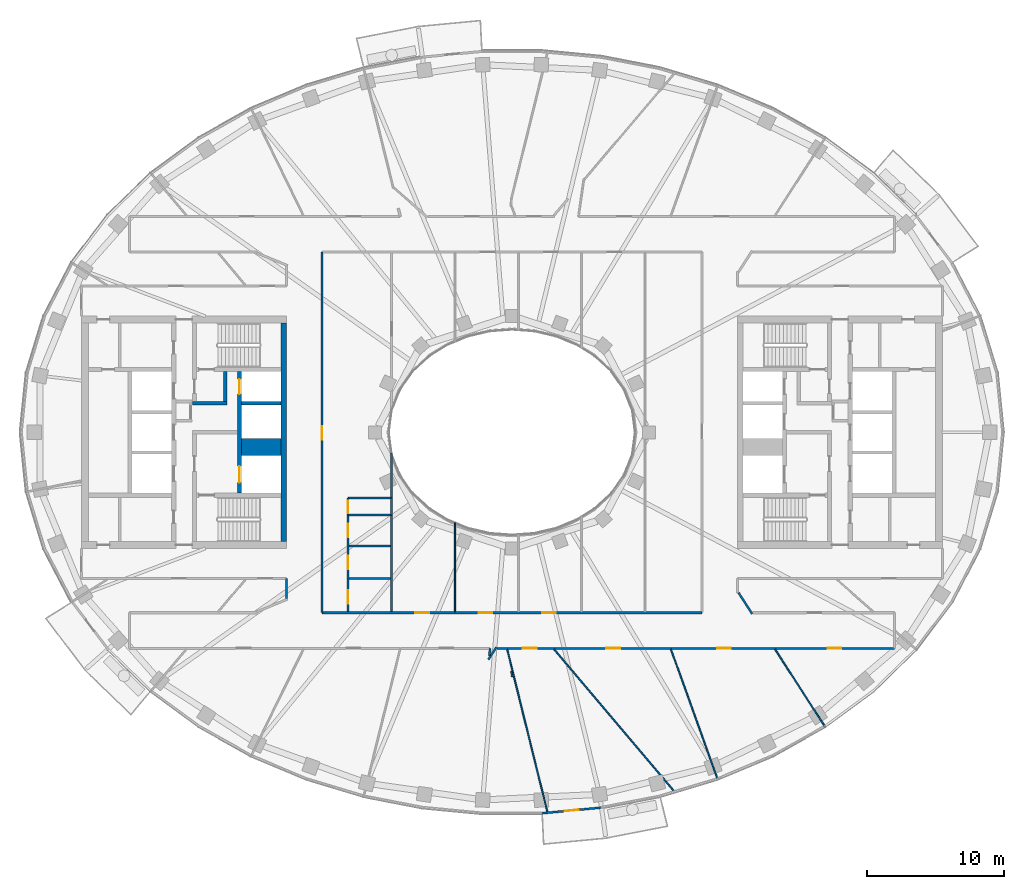
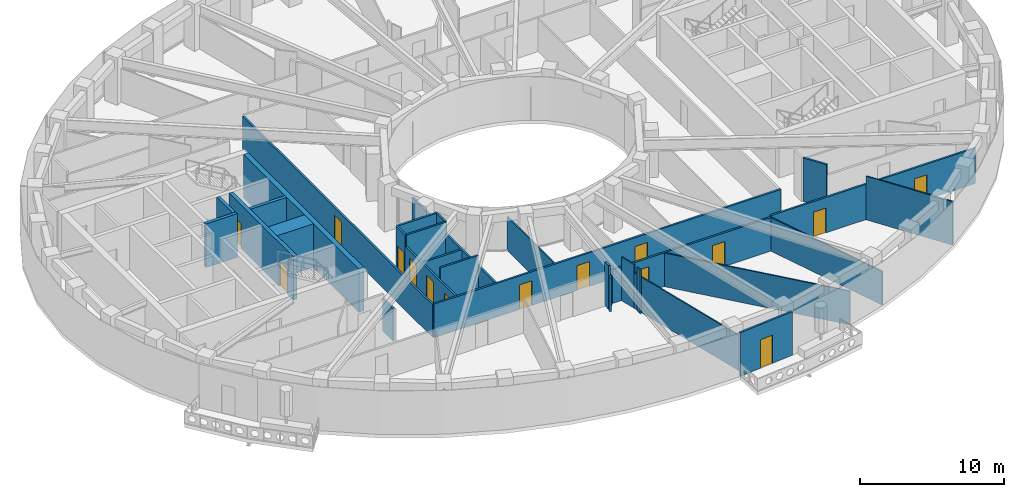
# One storey, part 4 of 17: 31 walls, 15 doors, 15 openings.
"""IFC4 building model written with IfcOpenShell, lengths in metres."""

from ifc_helpers import new_model, si_unit, direction, frame, frame_2d, origin, place, context, subcontext, project, spatial, rectangle, extrude, material, layer, layer_set, type_object, element, fill, save


model = new_model("IFC4")

# Units and contexts
model_context = context("Model", 3, precision=1e-05, world=origin(), true_north=direction((0.0, 1.0)))
body_context = subcontext(model_context, "Body", "Model", "MODEL_VIEW")
ifc_project = project(units=[si_unit("LENGTHUNIT", "METRE"), si_unit("AREAUNIT", "SQUARE_METRE"), si_unit("VOLUMEUNIT", "CUBIC_METRE"), si_unit("PLANEANGLEUNIT", "RADIAN"), si_unit("MASSUNIT", "GRAM", prefix="KILO")], contexts=[model_context])

# Site, building, storey
site_placement = place(None, origin())
site = spatial("IfcSite", under=ifc_project, at=site_placement, CompositionType="ELEMENT")
building_placement = place(site_placement, origin())
building = spatial("IfcBuilding", under=site, at=building_placement, Name="Noorbagh Ring Tower", CompositionType="ELEMENT")
storey_placement = place(building_placement, frame((0.0, 0.0, 269.5)))
storey = spatial("IfcBuildingStorey", under=building, at=storey_placement, Name="L57", CompositionType="ELEMENT", Elevation=269.5)

# Wall, opening, door
ifc_material_1 = material(Name="Gypsum board on steel studs", Category="steel")
ifc_layer_1 = layer(ifc_material_1, 0.14990234375)
ifc_layer_set_1 = layer_set([ifc_layer_1], Name="Gypsum board on steel studs")
wall_type_1 = type_object("IfcWallType", Name="COMPARTMENT PARTITION 150 EI 60", PredefinedType="PARTITIONING", material=ifc_layer_set_1)
wall_1_placement = place(storey_placement, frame((-12.0, -6.06005859375, 0.0), z_axis=(0.0, 0.0, 1.0), x_axis=(0.0, 1.0, 0.0)))
wall_1 = element("IfcWall", 1, at=wall_1_placement, inside=storey, type_object=wall_type_1, Name="L57/wall/P30", PredefinedType="PARTITIONING", context=body_context, shape_type="SweptSolid", body=[
    extrude(rectangle(XDim=1.260009765625, YDim=0.14990234375, at=frame_2d((0.6298828125, 0.0))), origin(), (0.0, 0.0, 1.0), 3.699951171875),
])
opening_1_placement = place(wall_1_placement, frame((0.14990234375, 0.0, 0.0)))
opening_1 = element("IfcOpeningElement", 2, at=opening_1_placement, cuts=wall_1, Name="Opening D4", PredefinedType="OPENING", context=body_context, shape_type="SweptSolid", body=[
    extrude(rectangle(XDim=0.89990234375, YDim=2.10009765625, at=frame_2d((0.449951171875, 1.050048828125))), frame((0.0, 0.0849609375, 0.0), z_axis=(0.0, -1.0, 0.0), x_axis=(1.0, 0.0, 0.0)), (0.0, 0.0, 1.0), 0.169921875),
])
ifc_material_2 = material(Name="Timber, painted", Category="wood")
door_type_1 = type_object("IfcDoorType", Name="DOOR 900 X 2100 FD60", OperationType="SINGLE_SWING_LEFT", PredefinedType="DOOR", material=ifc_material_2)
door_1_placement = place(opening_1_placement, origin())
door_1 = element("IfcDoor", 3, at=door_1_placement, inside=storey, type_object=door_type_1, Name="L57-D05", OperationType="SINGLE_SWING_LEFT", OverallHeight=2.10009765625, OverallWidth=0.89990234375, PredefinedType="DOOR", context=body_context, shape_type="SweptSolid", body=[
    extrude(rectangle(XDim=0.89990234375, YDim=2.10009765625, at=frame_2d((0.449951171875, 1.050048828125))), frame((0.0, 0.02490234375, 0.0), z_axis=(0.0, -1.0, 0.0), x_axis=(1.0, 0.0, 0.0)), (0.0, 0.0, 1.0), 0.050048828125),
])
fill(opening_1, door_1)

# Walls
for number, where, z_axis, x_axis, name in (
    (4, (-12.0, -6.06005859375, 0.0), (0.0, 0.0, 1.0), (1.0, 0.0, 0.0), "L57/wall/P31"),
    (5, (-12.0, -4.800048828125, 0.0), (0.0, 0.0, 1.0), (1.0, 0.0, 0.0), "L57/wall/P32"),
):
    element("IfcWall", number, at=place(storey_placement, frame(where, z_axis=z_axis, x_axis=x_axis)), inside=storey, type_object=wall_type_1, Name=name, PredefinedType="PARTITIONING", context=body_context, shape_type="SweptSolid", body=[
        extrude(rectangle(XDim=3.197021484375, YDim=0.14990234375, at=frame_2d((1.5986328125, 0.0))), origin(), (0.0, 0.0, 1.0), 3.699951171875),
    ])
wall_2_placement = place(storey_placement, frame((-8.802978515625, -6.06005859375, 0.0), z_axis=(0.0, 0.0, 1.0), x_axis=(0.0, 1.0, 0.0)))
element("IfcWall", 6, at=wall_2_placement, inside=storey, type_object=wall_type_1, Name="L57/wall/P36", PredefinedType="PARTITIONING", context=body_context, shape_type="SweptSolid", body=[
    extrude(rectangle(XDim=1.260009765625, YDim=0.14990234375, at=frame_2d((0.6298828125, 0.0))), origin(), (0.0, 0.0, 1.0), 3.699951171875),
])
ifc_material_3 = material(Name="Concrete C60/75", Category="concrete")
ifc_layer_2 = layer(ifc_material_3, 1.25)
ifc_layer_set_2 = layer_set([ifc_layer_2], Name="Concrete C60/75")
wall_type_2 = type_object("IfcWallType", Name="CORE-WALL-1250-C60-75-EI120", PredefinedType="SHEAR", material=ifc_layer_set_2)
wall_3_placement = place(storey_placement, frame((-16.89990234375, -1.074951171875, 0.0), z_axis=(0.0, 0.0, 1.0), x_axis=(-1.0, 0.0, 0.0)))
element("IfcWall", 7, at=wall_3_placement, inside=storey, type_object=wall_type_2, Name="Core wall W", PredefinedType="SHEAR", context=body_context, shape_type="SweptSolid", body=[
    extrude(rectangle(XDim=2.900146484375, YDim=1.25, at=frame_2d((1.4501953125, 0.0))), origin(), (0.0, 0.0, 1.0), 3.699951171875),
])
ifc_material_4 = material(Name="Concrete C60/75", Category="concrete")
ifc_layer_3 = layer(ifc_material_4, 0.25)
ifc_layer_set_3 = layer_set([ifc_layer_3], Name="Concrete C60/75")
wall_type_3 = type_object("IfcWallType", Name="CORE-WALL-250-C60-75-EI120", PredefinedType="SHEAR", material=ifc_layer_set_3)
wall_4_placement = place(storey_placement, frame((-16.89990234375, 2.125, 0.0), z_axis=(0.0, 0.0, 1.0), x_axis=(-1.0, 0.0, 0.0)))
element("IfcWall", 8, at=wall_4_placement, inside=storey, type_object=wall_type_3, Name="Core wall W", PredefinedType="SHEAR", context=body_context, shape_type="SweptSolid", body=[
    extrude(rectangle(XDim=2.900146484375, YDim=0.25, at=frame_2d((1.4501953125, 0.0))), origin(), (0.0, 0.0, 1.0), 3.699951171875),
])
ifc_material_5 = material(Name="Concrete C60/75", Category="concrete")
ifc_layer_4 = layer(ifc_material_5, 0.25)
ifc_layer_set_4 = layer_set([ifc_layer_4], Name="Concrete C60/75")
wall_type_4 = type_object("IfcWallType", Name="CORE-WALL-250-C60-75-EI240", PredefinedType="SHEAR", material=ifc_layer_set_4)
wall_5_placement = place(storey_placement, frame((-20.85009765625, 2.125, 0.0), z_axis=(0.0, 0.0, 1.0), x_axis=(-1.0, 0.0, 0.0)))
element("IfcWall", 9, at=wall_5_placement, inside=storey, type_object=wall_type_4, Name="Core wall W", PredefinedType="SHEAR", context=body_context, shape_type="SweptSolid", body=[
    extrude(rectangle(XDim=2.52978515625, YDim=0.25, at=frame_2d((1.264892578125, 0.0))), origin(), (0.0, 0.0, 1.0), 3.699951171875),
])
wall_6_placement = place(storey_placement, frame((-20.97509765625, 2.25, 0.0), z_axis=(0.0, 0.0, 1.0), x_axis=(0.0, 1.0, 0.0)))
element("IfcWall", 10, at=wall_6_placement, inside=storey, type_object=wall_type_4, Name="Core wall W", PredefinedType="SHEAR", context=body_context, shape_type="SweptSolid", body=[
    extrude(rectangle(XDim=2.199951171875, YDim=0.25, at=frame_2d((1.10009765625, 0.0))), origin(), (0.0, 0.0, 1.0), 3.699951171875),
])

# Wall, openings, doors
ifc_material_6 = material(Name="Concrete C60/75", Category="concrete")
ifc_layer_5 = layer(ifc_material_6, 0.300048828125)
ifc_layer_set_5 = layer_set([ifc_layer_5], Name="Concrete C60/75")
wall_type_5 = type_object("IfcWallType", Name="CORE-WALL-300-C60-75-EI120", PredefinedType="SHEAR", material=ifc_layer_set_5)
wall_7_placement = place(storey_placement, frame((-19.949951171875, -4.449951171875, 0.0), z_axis=(0.0, 0.0, 1.0), x_axis=(0.0, 1.0, 0.0)))
wall_7 = element("IfcWall", 11, at=wall_7_placement, inside=storey, type_object=wall_type_5, Name="Core wall W", PredefinedType="SHEAR", context=body_context, shape_type="SweptSolid", body=[
    extrude(rectangle(XDim=8.89990234375, YDim=0.300048828125, at=frame_2d((4.449951171875, 0.0))), origin(), (0.0, 0.0, 1.0), 3.699951171875),
])
opening_2_placement = place(wall_7_placement, frame((0.77490234375, 0.0, 0.0)))
opening_2 = element("IfcOpeningElement", 12, at=opening_2_placement, cuts=wall_7, Name="Opening L57-CW01", PredefinedType="OPENING", context=body_context, shape_type="SweptSolid", body=[
    extrude(rectangle(XDim=1.199951171875, YDim=2.10009765625, at=frame_2d((0.60009765625, 1.050048828125))), frame((0.0, 0.16015625, 0.0), z_axis=(0.0, -1.0, 0.0), x_axis=(1.0, 0.0, 0.0)), (0.0, 0.0, 1.0), 0.320068359375),
])
opening_3_placement = place(wall_7_placement, frame((7.25, 0.0, 0.0)))
opening_3 = element("IfcOpeningElement", 13, at=opening_3_placement, cuts=wall_7, Name="Opening L57-CW02", PredefinedType="OPENING", context=body_context, shape_type="SweptSolid", body=[
    extrude(rectangle(XDim=1.10009765625, YDim=2.10009765625, at=frame_2d((0.550048828125, 1.050048828125))), frame((0.0, 0.16015625, 0.0), z_axis=(0.0, -1.0, 0.0), x_axis=(1.0, 0.0, 0.0)), (0.0, 0.0, 1.0), 0.320068359375),
])
ifc_material_7 = material(Name="Steel door leaf", Category="steel")
door_type_2 = type_object("IfcDoorType", Name="CORE-DOOR-LD", OperationType="DOUBLE_DOOR_SLIDING", PredefinedType="DOOR", material=ifc_material_7)
door_2_placement = place(opening_3_placement, origin())
door_2 = element("IfcDoor", 14, at=door_2_placement, inside=storey, type_object=door_type_2, Name="Landing door HR1 L57-CW02", OperationType="DOUBLE_DOOR_SLIDING", OverallHeight=2.10009765625, OverallWidth=1.10009765625, PredefinedType="DOOR", context=body_context, shape_type="SweptSolid", body=[
    extrude(rectangle(XDim=1.10009765625, YDim=2.10009765625, at=frame_2d((0.550048828125, 1.050048828125))), frame((0.0, 0.02490234375, 0.0), z_axis=(0.0, -1.0, 0.0), x_axis=(1.0, 0.0, 0.0)), (0.0, 0.0, 1.0), 0.050048828125),
])
fill(opening_3, door_2)
ifc_material_8 = material(Name="Steel door leaf", Category="steel")
door_type_3 = type_object("IfcDoorType", Name="CORE-DOOR-LDW", OperationType="DOUBLE_DOOR_SLIDING", PredefinedType="DOOR", material=ifc_material_8)
door_3_placement = place(opening_2_placement, origin())
door_3 = element("IfcDoor", 15, at=door_3_placement, inside=storey, type_object=door_type_3, Name="Landing door FF1 L57-CW01", OperationType="DOUBLE_DOOR_SLIDING", OverallHeight=2.10009765625, OverallWidth=1.199951171875, PredefinedType="DOOR", context=body_context, shape_type="SweptSolid", body=[
    extrude(rectangle(XDim=1.199951171875, YDim=2.10009765625, at=frame_2d((0.60009765625, 1.050048828125))), frame((0.0, 0.02490234375, 0.0), z_axis=(0.0, -1.0, 0.0), x_axis=(1.0, 0.0, 0.0)), (0.0, 0.0, 1.0), 0.050048828125),
])
fill(opening_2, door_3)

# Walls
ifc_material_9 = material(Name="Concrete C60/75", Category="concrete")
ifc_layer_6 = layer(ifc_material_9, 0.39990234375)
ifc_layer_set_6 = layer_set([ifc_layer_6], Name="Concrete C60/75")
wall_type_6 = type_object("IfcWallType", Name="CORE-WALL-400-C60-75-EI240", PredefinedType="SHEAR", material=ifc_layer_set_6)
wall_8_placement = place(storey_placement, frame((-16.699951171875, -8.0, 0.0), z_axis=(0.0, 0.0, 1.0), x_axis=(0.0, 1.0, 0.0)))
element("IfcWall", 16, at=wall_8_placement, inside=storey, type_object=wall_type_6, Name="Core wall W", PredefinedType="SHEAR", context=body_context, shape_type="SweptSolid", body=[
    extrude(rectangle(XDim=16.0, YDim=0.39990234375, at=frame_2d((8.0, 0.0))), origin(), (0.0, 0.0, 1.0), 3.699951171875),
])
ifc_material_10 = material(Name="Gypsum board on steel studs", Category="steel")
ifc_layer_7 = layer(ifc_material_10, 0.14990234375)
ifc_layer_set_7 = layer_set([ifc_layer_7], Name="Gypsum board on steel studs")
wall_type_7 = type_object("IfcWallType", Name="CORRIDOR PARTITION 150 EI 30", PredefinedType="PARTITIONING", material=ifc_layer_set_7)
wall_9_placement = place(storey_placement, frame((-16.5, -12.156982421875, 0.0), z_axis=(0.0, 0.0, 1.0), x_axis=(0.0, 1.0, 0.0)))
element("IfcWall", 17, at=wall_9_placement, inside=storey, type_object=wall_type_7, Name="L57/wall/P22", PredefinedType="PARTITIONING", context=body_context, shape_type="SweptSolid", body=[
    extrude(rectangle(XDim=1.45703125, YDim=0.14990234375, at=frame_2d((0.728515625, 0.0))), origin(), (0.0, 0.0, 1.0), 2.75),
])

# Wall, opening, door
wall_10_placement = place(storey_placement, frame((-13.89990234375, -13.199951171875, 0.0), z_axis=(0.0, 0.0, 1.0), x_axis=(0.0, 1.0, 0.0)))
wall_10 = element("IfcWall", 18, at=wall_10_placement, inside=storey, type_object=wall_type_7, Name="L57/wall/P24", PredefinedType="PARTITIONING", context=body_context, shape_type="SweptSolid", body=[
    extrude(rectangle(XDim=26.39990234375, YDim=0.14990234375, at=frame_2d((13.199951171875, 0.0))), origin(), (0.0, 0.0, 1.0), 2.75),
])
opening_4_placement = place(wall_10_placement, frame((12.64990234375, 0.0, 0.0)))
opening_4 = element("IfcOpeningElement", 19, at=opening_4_placement, cuts=wall_10, Name="Opening D1", PredefinedType="OPENING", context=body_context, shape_type="SweptSolid", body=[
    extrude(rectangle(XDim=1.0, YDim=2.10009765625, at=frame_2d((0.5, 1.050048828125))), frame((0.0, 0.0849609375, 0.0), z_axis=(0.0, -1.0, 0.0), x_axis=(1.0, 0.0, 0.0)), (0.0, 0.0, 1.0), 0.169921875),
])
ifc_material_11 = material(Name="Timber, painted", Category="wood")
door_type_4 = type_object("IfcDoorType", Name="DOOR 1000 X 2100 FD30", OperationType="SINGLE_SWING_LEFT", PredefinedType="DOOR", material=ifc_material_11)
door_4_placement = place(opening_4_placement, origin())
door_4 = element("IfcDoor", 20, at=door_4_placement, inside=storey, type_object=door_type_4, Name="L57-D01", OperationType="SINGLE_SWING_LEFT", OverallHeight=2.10009765625, OverallWidth=1.0, PredefinedType="DOOR", context=body_context, shape_type="SweptSolid", body=[
    extrude(rectangle(XDim=1.0, YDim=2.10009765625, at=frame_2d((0.5, 1.050048828125))), frame((0.0, 0.02490234375, 0.0), z_axis=(0.0, -1.0, 0.0), x_axis=(1.0, 0.0, 0.0)), (0.0, 0.0, 1.0), 0.050048828125),
])
fill(opening_4, door_4)

# Wall, openings, doors
wall_11_placement = place(storey_placement, frame((-13.89990234375, -13.199951171875, 0.0), z_axis=(0.0, 0.0, 1.0), x_axis=(1.0, 0.0, 0.0)))
wall_11 = element("IfcWall", 21, at=wall_11_placement, inside=storey, type_object=wall_type_7, Name="L57/wall/P25", PredefinedType="PARTITIONING", context=body_context, shape_type="SweptSolid", body=[
    extrude(rectangle(XDim=27.7998046875, YDim=0.14990234375, at=frame_2d((13.89990234375, 0.0))), origin(), (0.0, 0.0, 1.0), 2.85009765625),
])
opening_5_placement = place(wall_11_placement, frame((6.830078125, 0.0, 0.0)))
opening_5 = element("IfcOpeningElement", 22, at=opening_5_placement, cuts=wall_11, Name="Opening D1", PredefinedType="OPENING", context=body_context, shape_type="SweptSolid", body=[
    extrude(rectangle(XDim=1.0, YDim=2.10009765625, at=frame_2d((0.5, 1.050048828125))), frame((0.0, 0.0849609375, 0.0), z_axis=(0.0, -1.0, 0.0), x_axis=(1.0, 0.0, 0.0)), (0.0, 0.0, 1.0), 0.169921875),
])
opening_6_placement = place(wall_11_placement, frame((11.462890625, 0.0, 0.0)))
opening_6 = element("IfcOpeningElement", 23, at=opening_6_placement, cuts=wall_11, Name="Opening D1", PredefinedType="OPENING", context=body_context, shape_type="SweptSolid", body=[
    extrude(rectangle(XDim=1.0, YDim=2.10009765625, at=frame_2d((0.5, 1.050048828125))), frame((0.0, 0.0849609375, 0.0), z_axis=(0.0, -1.0, 0.0), x_axis=(1.0, 0.0, 0.0)), (0.0, 0.0, 1.0), 0.169921875),
])
opening_7_placement = place(wall_11_placement, frame((16.096923828125, 0.0, 0.0)))
opening_7 = element("IfcOpeningElement", 24, at=opening_7_placement, cuts=wall_11, Name="Opening D1", PredefinedType="OPENING", context=body_context, shape_type="SweptSolid", body=[
    extrude(rectangle(XDim=1.0, YDim=2.10009765625, at=frame_2d((0.5, 1.050048828125))), frame((0.0, 0.0849609375, 0.0), z_axis=(0.0, -1.0, 0.0), x_axis=(1.0, 0.0, 0.0)), (0.0, 0.0, 1.0), 0.169921875),
])
door_5_placement = place(opening_5_placement, origin())
door_5 = element("IfcDoor", 25, at=door_5_placement, inside=storey, type_object=door_type_4, Name="L57-D28", OperationType="SINGLE_SWING_RIGHT", OverallHeight=2.10009765625, OverallWidth=1.0, PredefinedType="DOOR", context=body_context, shape_type="SweptSolid", body=[
    extrude(rectangle(XDim=1.0, YDim=2.10009765625, at=frame_2d((0.5, 1.050048828125))), frame((0.0, 0.02490234375, 0.0), z_axis=(0.0, -1.0, 0.0), x_axis=(1.0, 0.0, 0.0)), (0.0, 0.0, 1.0), 0.050048828125),
])
fill(opening_5, door_5)
door_6_placement = place(opening_6_placement, origin())
door_6 = element("IfcDoor", 26, at=door_6_placement, inside=storey, type_object=door_type_4, Name="L57-D30", OperationType="SINGLE_SWING_RIGHT", OverallHeight=2.10009765625, OverallWidth=1.0, PredefinedType="DOOR", context=body_context, shape_type="SweptSolid", body=[
    extrude(rectangle(XDim=1.0, YDim=2.10009765625, at=frame_2d((0.5, 1.050048828125))), frame((0.0, 0.02490234375, 0.0), z_axis=(0.0, -1.0, 0.0), x_axis=(1.0, 0.0, 0.0)), (0.0, 0.0, 1.0), 0.050048828125),
])
fill(opening_6, door_6)
door_7_placement = place(opening_7_placement, origin())
door_7 = element("IfcDoor", 27, at=door_7_placement, inside=storey, type_object=door_type_4, Name="L57-D32", OperationType="SINGLE_SWING_RIGHT", OverallHeight=2.10009765625, OverallWidth=1.0, PredefinedType="DOOR", context=body_context, shape_type="SweptSolid", body=[
    extrude(rectangle(XDim=1.0, YDim=2.10009765625, at=frame_2d((0.5, 1.050048828125))), frame((0.0, 0.02490234375, 0.0), z_axis=(0.0, -1.0, 0.0), x_axis=(1.0, 0.0, 0.0)), (0.0, 0.0, 1.0), 0.050048828125),
])
fill(opening_7, door_7)

wall_12_placement = place(storey_placement, frame((-12.0, -13.125, 0.0), z_axis=(0.0, 0.0, 1.0), x_axis=(0.0, 1.0, 0.0)))
wall_12 = element("IfcWall", 28, at=wall_12_placement, inside=storey, type_object=wall_type_7, Name="L57/wall/P27", PredefinedType="PARTITIONING", context=body_context, shape_type="SweptSolid", body=[
    extrude(rectangle(XDim=7.06494140625, YDim=0.14990234375, at=frame_2d((3.532470703125, 0.0))), origin(), (0.0, 0.0, 1.0), 2.75),
])
opening_8_placement = place(wall_12_placement, frame((0.574951171875, 0.0, 0.0)))
opening_8 = element("IfcOpeningElement", 29, at=opening_8_placement, cuts=wall_12, Name="Opening D3", PredefinedType="OPENING", context=body_context, shape_type="SweptSolid", body=[
    extrude(rectangle(XDim=1.0, YDim=2.10009765625, at=frame_2d((0.5, 1.050048828125))), frame((0.0, 0.0849609375, 0.0), z_axis=(0.0, -1.0, 0.0), x_axis=(1.0, 0.0, 0.0)), (0.0, 0.0, 1.0), 0.169921875),
])
opening_9_placement = place(wall_12_placement, frame((3.094970703125, 0.0, 0.0)))
opening_9 = element("IfcOpeningElement", 30, at=opening_9_placement, cuts=wall_12, Name="Opening D3", PredefinedType="OPENING", context=body_context, shape_type="SweptSolid", body=[
    extrude(rectangle(XDim=1.0, YDim=2.10009765625, at=frame_2d((0.5, 1.050048828125))), frame((0.0, 0.0849609375, 0.0), z_axis=(0.0, -1.0, 0.0), x_axis=(1.0, 0.0, 0.0)), (0.0, 0.0, 1.0), 0.169921875),
])
opening_10_placement = place(wall_12_placement, frame((5.447021484375, 0.0, 0.0)))
opening_10 = element("IfcOpeningElement", 31, at=opening_10_placement, cuts=wall_12, Name="Opening D3", PredefinedType="OPENING", context=body_context, shape_type="SweptSolid", body=[
    extrude(rectangle(XDim=1.0, YDim=2.10009765625, at=frame_2d((0.5, 1.050048828125))), frame((0.0, 0.0849609375, 0.0), z_axis=(0.0, -1.0, 0.0), x_axis=(1.0, 0.0, 0.0)), (0.0, 0.0, 1.0), 0.169921875),
])
ifc_material_12 = material(Name="Timber, painted", Category="wood")
door_type_5 = type_object("IfcDoorType", Name="DOOR 1000 X 2100 WC", OperationType="SINGLE_SWING_LEFT", PredefinedType="DOOR", material=ifc_material_12)
door_8_placement = place(opening_8_placement, origin())
door_8 = element("IfcDoor", 32, at=door_8_placement, inside=storey, type_object=door_type_5, Name="L57-D02", OperationType="SINGLE_SWING_RIGHT", OverallHeight=2.10009765625, OverallWidth=1.0, PredefinedType="DOOR", context=body_context, shape_type="SweptSolid", body=[
    extrude(rectangle(XDim=1.0, YDim=2.10009765625, at=frame_2d((0.5, 1.050048828125))), frame((0.0, 0.02490234375, 0.0), z_axis=(0.0, -1.0, 0.0), x_axis=(1.0, 0.0, 0.0)), (0.0, 0.0, 1.0), 0.050048828125),
])
fill(opening_8, door_8)
door_9_placement = place(opening_9_placement, origin())
door_9 = element("IfcDoor", 33, at=door_9_placement, inside=storey, type_object=door_type_5, Name="L57-D03", OperationType="SINGLE_SWING_LEFT", OverallHeight=2.10009765625, OverallWidth=1.0, PredefinedType="DOOR", context=body_context, shape_type="SweptSolid", body=[
    extrude(rectangle(XDim=1.0, YDim=2.10009765625, at=frame_2d((0.5, 1.050048828125))), frame((0.0, 0.02490234375, 0.0), z_axis=(0.0, -1.0, 0.0), x_axis=(1.0, 0.0, 0.0)), (0.0, 0.0, 1.0), 0.050048828125),
])
fill(opening_9, door_9)
door_10_placement = place(opening_10_placement, origin())
door_10 = element("IfcDoor", 34, at=door_10_placement, inside=storey, type_object=door_type_5, Name="L57-D04", OperationType="SINGLE_SWING_RIGHT", OverallHeight=2.10009765625, OverallWidth=1.0, PredefinedType="DOOR", context=body_context, shape_type="SweptSolid", body=[
    extrude(rectangle(XDim=1.0, YDim=2.10009765625, at=frame_2d((0.5, 1.050048828125))), frame((0.0, 0.02490234375, 0.0), z_axis=(0.0, -1.0, 0.0), x_axis=(1.0, 0.0, 0.0)), (0.0, 0.0, 1.0), 0.050048828125),
])
fill(opening_10, door_10)

# Walls
wall_13_placement = place(storey_placement, frame((-11.925048828125, -10.679931640625, 0.0), z_axis=(0.0, 0.0, 1.0), x_axis=(1.0, 0.0, 0.0)))
element("IfcWall", 35, at=wall_13_placement, inside=storey, type_object=wall_type_7, Name="L57/wall/P28", PredefinedType="PARTITIONING", context=body_context, shape_type="SweptSolid", body=[
    extrude(rectangle(XDim=3.047119140625, YDim=0.14990234375, at=frame_2d((1.5234375, 0.0))), origin(), (0.0, 0.0, 1.0), 3.699951171875),
])
wall_14_placement = place(storey_placement, frame((-11.925048828125, -8.327880859375, 0.0), z_axis=(0.0, 0.0, 1.0), x_axis=(1.0, 0.0, 0.0)))
element("IfcWall", 36, at=wall_14_placement, inside=storey, type_object=wall_type_7, Name="L57/wall/P29", PredefinedType="PARTITIONING", context=body_context, shape_type="SweptSolid", body=[
    extrude(rectangle(XDim=3.047119140625, YDim=0.14990234375, at=frame_2d((1.5234375, 0.0))), origin(), (0.0, 0.0, 1.0), 2.75),
])
wall_15_placement = place(storey_placement, frame((-8.802978515625, -13.125, 0.0), z_axis=(0.0, 0.0, 1.0), x_axis=(0.0, 1.0, 0.0)))
element("IfcWall", 37, at=wall_15_placement, inside=storey, type_object=wall_type_7, Name="L57/wall/P35", PredefinedType="PARTITIONING", context=body_context, shape_type="SweptSolid", body=[
    extrude(rectangle(XDim=7.06494140625, YDim=0.14990234375, at=frame_2d((3.532470703125, 0.0))), origin(), (0.0, 0.0, 1.0), 2.75),
])
wall_16_placement = place(storey_placement, frame((-8.802978515625, -4.800048828125, 0.0), z_axis=(0.0, 0.0, 1.0), x_axis=(0.0, 1.0, 0.0)))
element("IfcWall", 38, at=wall_16_placement, inside=storey, type_object=wall_type_7, Name="L57/wall/P37", PredefinedType="PARTITIONING", context=body_context, shape_type="SweptSolid", body=[
    extrude(rectangle(XDim=3.30712890625, YDim=0.14990234375, at=frame_2d((1.653564453125, 0.0))), origin(), (0.0, 0.0, 1.0), 3.0),
])
wall_17_placement = place(storey_placement, frame((-1.72900390625, -16.6279296875, 0.0), z_axis=(0.0, 0.0, 1.0), x_axis=(0.541194243454, 0.840897610207, 0.0)))
element("IfcWall", 39, at=wall_17_placement, inside=storey, type_object=wall_type_7, Name="L57/wall/P46", PredefinedType="PARTITIONING", context=body_context, shape_type="SweptSolid", body=[
    extrude(rectangle(XDim=1.07373046875, YDim=0.14990234375, at=frame_2d((0.536865234375, 0.0))), origin(), (0.0, 0.0, 1.0), 2.85009765625),
])
wall_18_placement = place(storey_placement, frame((-1.64111328125, -16.35205078125, 0.0), z_axis=(0.0, 0.0, 1.0), x_axis=(0.047271288541, 0.998882087776, 0.0)))
element("IfcWall", 40, at=wall_18_placement, inside=storey, type_object=wall_type_7, Name="L57/wall/P47", PredefinedType="PARTITIONING", context=body_context, shape_type="SweptSolid", body=[
    extrude(rectangle(XDim=0.552734375, YDim=0.14990234375, at=frame_2d((0.2763671875, 0.0))), origin(), (0.0, 0.0, 1.0), 3.699951171875),
])

# Wall, openings, doors
wall_19_placement = place(storey_placement, frame((-1.10693359375, -15.800048828125, 0.0), z_axis=(0.0, 0.0, 1.0), x_axis=(1.0, 0.0, 0.0)))
wall_19 = element("IfcWall", 41, at=wall_19_placement, inside=storey, type_object=wall_type_7, Name="L57/wall/P48", PredefinedType="PARTITIONING", context=body_context, shape_type="SweptSolid", body=[
    extrude(rectangle(XDim=12.761962890625, YDim=0.14990234375, at=frame_2d((6.380859375, 0.0))), origin(), (0.0, 0.0, 1.0), 2.85009765625),
])
opening_11_placement = place(wall_19_placement, frame((1.905029296875, 0.0, 0.0)))
opening_11 = element("IfcOpeningElement", 42, at=opening_11_placement, cuts=wall_19, Name="Opening D1", PredefinedType="OPENING", context=body_context, shape_type="SweptSolid", body=[
    extrude(rectangle(XDim=1.0, YDim=2.10009765625, at=frame_2d((0.5, 1.050048828125))), frame((0.0, 0.0849609375, 0.0), z_axis=(0.0, -1.0, 0.0), x_axis=(1.0, 0.0, 0.0)), (0.0, 0.0, 1.0), 0.169921875),
])
opening_12_placement = place(wall_19_placement, frame((8.01611328125, 0.0, 0.0)))
opening_12 = element("IfcOpeningElement", 43, at=opening_12_placement, cuts=wall_19, Name="Opening D1", PredefinedType="OPENING", context=body_context, shape_type="SweptSolid", body=[
    extrude(rectangle(XDim=1.0, YDim=2.10009765625, at=frame_2d((0.5, 1.050048828125))), frame((0.0, 0.0849609375, 0.0), z_axis=(0.0, -1.0, 0.0), x_axis=(1.0, 0.0, 0.0)), (0.0, 0.0, 1.0), 0.169921875),
])
door_11_placement = place(opening_11_placement, origin())
door_11 = element("IfcDoor", 44, at=door_11_placement, inside=storey, type_object=door_type_4, Name="L57-D19", OperationType="SINGLE_SWING_LEFT", OverallHeight=2.10009765625, OverallWidth=1.0, PredefinedType="DOOR", context=body_context, shape_type="SweptSolid", body=[
    extrude(rectangle(XDim=1.0, YDim=2.10009765625, at=frame_2d((0.5, 1.050048828125))), frame((0.0, 0.02490234375, 0.0), z_axis=(0.0, -1.0, 0.0), x_axis=(1.0, 0.0, 0.0)), (0.0, 0.0, 1.0), 0.050048828125),
])
fill(opening_11, door_11)
door_12_placement = place(opening_12_placement, origin())
door_12 = element("IfcDoor", 45, at=door_12_placement, inside=storey, type_object=door_type_4, Name="L57-D20", OperationType="SINGLE_SWING_RIGHT", OverallHeight=2.10009765625, OverallWidth=1.0, PredefinedType="DOOR", context=body_context, shape_type="SweptSolid", body=[
    extrude(rectangle(XDim=1.0, YDim=2.10009765625, at=frame_2d((0.5, 1.050048828125))), frame((0.0, 0.02490234375, 0.0), z_axis=(0.0, -1.0, 0.0), x_axis=(1.0, 0.0, 0.0)), (0.0, 0.0, 1.0), 0.050048828125),
])
fill(opening_12, door_12)

wall_20_placement = place(storey_placement, frame((11.614013671875, -15.800048828125, 0.0), z_axis=(0.0, 0.0, 1.0), x_axis=(1.0, 0.0, 0.0)))
wall_20 = element("IfcWall", 46, at=wall_20_placement, inside=storey, type_object=wall_type_7, Name="L57/wall/P67", PredefinedType="PARTITIONING", context=body_context, shape_type="SweptSolid", body=[
    extrude(rectangle(XDim=16.385986328125, YDim=0.14990234375, at=frame_2d((8.19287109375, 0.0))), origin(), (0.0, 0.0, 1.0), 3.0),
])
opening_13_placement = place(wall_20_placement, frame((3.387939453125, 0.0, 0.0)))
opening_13 = element("IfcOpeningElement", 47, at=opening_13_placement, cuts=wall_20, Name="Opening D1", PredefinedType="OPENING", context=body_context, shape_type="SweptSolid", body=[
    extrude(rectangle(XDim=1.0, YDim=2.10009765625, at=frame_2d((0.5, 1.050048828125))), frame((0.0, 0.0849609375, 0.0), z_axis=(0.0, -1.0, 0.0), x_axis=(1.0, 0.0, 0.0)), (0.0, 0.0, 1.0), 0.169921875),
])
opening_14_placement = place(wall_20_placement, frame((11.486083984375, 0.0, 0.0)))
opening_14 = element("IfcOpeningElement", 48, at=opening_14_placement, cuts=wall_20, Name="Opening D1", PredefinedType="OPENING", context=body_context, shape_type="SweptSolid", body=[
    extrude(rectangle(XDim=1.0, YDim=2.10009765625, at=frame_2d((0.5, 1.050048828125))), frame((0.0, 0.0849609375, 0.0), z_axis=(0.0, -1.0, 0.0), x_axis=(1.0, 0.0, 0.0)), (0.0, 0.0, 1.0), 0.169921875),
])
door_13_placement = place(opening_13_placement, origin())
door_13 = element("IfcDoor", 49, at=door_13_placement, inside=storey, type_object=door_type_4, Name="L57-D22", OperationType="SINGLE_SWING_RIGHT", OverallHeight=2.10009765625, OverallWidth=1.0, PredefinedType="DOOR", context=body_context, shape_type="SweptSolid", body=[
    extrude(rectangle(XDim=1.0, YDim=2.10009765625, at=frame_2d((0.5, 1.050048828125))), frame((0.0, 0.02490234375, 0.0), z_axis=(0.0, -1.0, 0.0), x_axis=(1.0, 0.0, 0.0)), (0.0, 0.0, 1.0), 0.050048828125),
])
fill(opening_13, door_13)
door_14_placement = place(opening_14_placement, origin())
door_14 = element("IfcDoor", 50, at=door_14_placement, inside=storey, type_object=door_type_4, Name="L57-D26", OperationType="SINGLE_SWING_RIGHT", OverallHeight=2.10009765625, OverallWidth=1.0, PredefinedType="DOOR", context=body_context, shape_type="SweptSolid", body=[
    extrude(rectangle(XDim=1.0, YDim=2.10009765625, at=frame_2d((0.5, 1.050048828125))), frame((0.0, 0.02490234375, 0.0), z_axis=(0.0, -1.0, 0.0), x_axis=(1.0, 0.0, 0.0)), (0.0, 0.0, 1.0), 0.050048828125),
])
fill(opening_14, door_14)

# Wall
wall_21_placement = place(storey_placement, frame((16.574951171875, -11.73291015625, 0.0), z_axis=(0.0, 0.0, 1.0), x_axis=(0.541860116324, -0.840468687304, 0.0)))
element("IfcWall", 51, at=wall_21_placement, inside=storey, type_object=wall_type_7, Name="L57/wall/P71", PredefinedType="PARTITIONING", context=body_context, shape_type="SweptSolid", body=[
    extrude(rectangle(XDim=1.834716796875, YDim=0.14990234375, at=frame_2d((0.91748046875, 0.0))), origin(), (0.0, 0.0, 1.0), 3.699951171875),
])

# Wall, opening, door
ifc_material_13 = material(Name="Insulated aluminium clad panel", Category="aluminium")
ifc_layer_8 = layer(ifc_material_13, 0.14990234375)
ifc_layer_set_8 = layer_set([ifc_layer_8], Name="Insulated aluminium clad panel")
wall_type_8 = type_object("IfcWallType", Name="ENV-WALL-DOOR", PredefinedType="STANDARD", material=ifc_layer_set_8)
wall_22_placement = place(storey_placement, frame((2.166259765625, -27.875244140625, 0.0), z_axis=(0.0, 0.0, 1.0), x_axis=(0.995473879823, 0.095035543824, 0.0)))
wall_22 = element("IfcWall", 52, at=wall_22_placement, inside=storey, type_object=wall_type_8, Name="Balcony door wall chord 36", PredefinedType="STANDARD", context=body_context, shape_type="SweptSolid", body=[
    extrude(rectangle(XDim=4.42626953125, YDim=0.14990234375, at=frame_2d((2.213134765625, 0.0))), origin(), (0.0, 0.0, 1.0), 3.699951171875),
])
opening_15_placement = place(wall_22_placement, frame((1.713134765625, 0.0, 0.0)))
opening_15 = element("IfcOpeningElement", 53, at=opening_15_placement, cuts=wall_22, Name="Opening D-BL", PredefinedType="OPENING", context=body_context, shape_type="SweptSolid", body=[
    extrude(rectangle(XDim=1.0, YDim=2.39990234375, at=frame_2d((0.5, 1.199951171875))), frame((0.0, 0.0849609375, 0.0), z_axis=(0.0, -1.0, 0.0), x_axis=(1.0, 0.0, 0.0)), (0.0, 0.0, 1.0), 0.169921875),
])
ifc_material_14 = material(Name="Aluminium and glass", Category="aluminium")
door_type_6 = type_object("IfcDoorType", Name="ENV-DOOR-BALCONY", OperationType="SINGLE_SWING_LEFT", PredefinedType="DOOR", material=ifc_material_14)
door_15_placement = place(opening_15_placement, origin())
door_15 = element("IfcDoor", 54, at=door_15_placement, inside=storey, type_object=door_type_6, Name="Balcony door chord 36", OperationType="SINGLE_SWING_RIGHT", OverallHeight=2.39990234375, OverallWidth=1.0, PredefinedType="DOOR", context=body_context, shape_type="SweptSolid", body=[
    extrude(rectangle(XDim=1.0, YDim=2.39990234375, at=frame_2d((0.5, 1.199951171875))), frame((0.0, 0.02490234375, 0.0), z_axis=(0.0, -1.0, 0.0), x_axis=(1.0, 0.0, 0.0)), (0.0, 0.0, 1.0), 0.050048828125),
])
fill(opening_15, door_15)

# Walls
ifc_material_15 = material(Name="Gypsum board on steel studs", Category="steel")
ifc_layer_9 = layer(ifc_material_15, 0.10009765625)
ifc_layer_set_9 = layer_set([ifc_layer_9], Name="Gypsum board on steel studs")
wall_type_9 = type_object("IfcWallType", Name="PARTITION 100 GYPSUM", PredefinedType="PARTITIONING", material=ifc_layer_set_9)
wall_23_placement = place(storey_placement, frame((-4.169921875, -13.125, 0.0), z_axis=(0.0, 0.0, 1.0), x_axis=(0.0, 1.0, 0.0)))
element("IfcWall", 55, at=wall_23_placement, inside=storey, type_object=wall_type_9, Name="L57/wall/P44", PredefinedType="PARTITIONING", context=body_context, shape_type="SweptSolid", body=[
    extrude(rectangle(XDim=6.508056640625, YDim=0.10009765625, at=frame_2d((3.25390625, 0.0))), origin(), (0.0, 0.0, 1.0), 2.85009765625),
])
wall_24_placement = place(storey_placement, frame((-0.34912109375, -15.87890625, 0.0), z_axis=(0.0, 0.0, 1.0), x_axis=(0.239974555355, -0.970779178177, 0.0)))
element("IfcWall", 56, at=wall_24_placement, inside=storey, type_object=wall_type_9, Name="L57/wall/P49", PredefinedType="PARTITIONING", context=body_context, shape_type="SweptSolid", body=[
    extrude(rectangle(XDim=1.234130859375, YDim=0.10009765625, at=frame_2d((0.6171875, 0.0))), origin(), (0.0, 0.0, 1.0), 3.699951171875),
])
wall_25_placement = place(storey_placement, frame((-0.049072265625, -17.096923828125, 0.0), z_axis=(0.0, 0.0, 1.0), x_axis=(0.239793112589, -0.970824012453, 0.0)))
element("IfcWall", 57, at=wall_25_placement, inside=storey, type_object=wall_type_9, Name="L57/wall/P52", PredefinedType="PARTITIONING", context=body_context, shape_type="SweptSolid", body=[
    extrude(rectangle(XDim=11.08447265625, YDim=0.10009765625, at=frame_2d((5.542236328125, 0.0))), origin(), (0.0, 0.0, 1.0), 3.0),
])
wall_26_placement = place(storey_placement, frame((-0.030029296875, -17.47705078125, 0.0), z_axis=(0.0, 0.0, 1.0), x_axis=(0.045092973364, -0.998982794523, 0.0)))
element("IfcWall", 58, at=wall_26_placement, inside=storey, type_object=wall_type_9, Name="L57/wall/P53", PredefinedType="PARTITIONING", context=body_context, shape_type="SweptSolid", body=[
    extrude(rectangle(XDim=0.42236328125, YDim=0.10009765625, at=frame_2d((0.211181640625, 0.0))), origin(), (0.0, 0.0, 1.0), 3.699951171875),
])
wall_27_placement = place(storey_placement, frame((3.074951171875, -15.8779296875, 0.0), z_axis=(0.0, 0.0, 1.0), x_axis=(0.64645132614, -0.762955229966, 0.0)))
element("IfcWall", 59, at=wall_27_placement, inside=storey, type_object=wall_type_9, Name="L57/wall/P57", PredefinedType="PARTITIONING", context=body_context, shape_type="SweptSolid", body=[
    extrude(rectangle(XDim=13.690185546875, YDim=0.10009765625, at=frame_2d((6.84521484375, 0.0))), origin(), (0.0, 0.0, 1.0), 2.85009765625),
])
wall_28_placement = place(storey_placement, frame((11.62890625, -15.875, 0.0), z_axis=(0.0, 0.0, 1.0), x_axis=(0.338394316696, -0.94100440298, 0.0)))
element("IfcWall", 60, at=wall_28_placement, inside=storey, type_object=wall_type_9, Name="L57/wall/P65", PredefinedType="PARTITIONING", context=body_context, shape_type="SweptSolid", body=[
    extrude(rectangle(XDim=10.104248046875, YDim=0.10009765625, at=frame_2d((5.05224609375, 0.0))), origin(), (0.0, 0.0, 1.0), 2.85009765625),
])
wall_29_placement = place(storey_placement, frame((19.248046875, -15.875, 0.0), z_axis=(0.0, 0.0, 1.0), x_axis=(0.542216737844, -0.840238662049, 0.0)))
element("IfcWall", 61, at=wall_29_placement, inside=storey, type_object=wall_type_9, Name="L57/wall/P78", PredefinedType="PARTITIONING", context=body_context, shape_type="SweptSolid", body=[
    extrude(rectangle(XDim=6.744384765625, YDim=0.10009765625, at=frame_2d((3.3720703125, 0.0))), origin(), (0.0, 0.0, 1.0), 3.699951171875),
])

save(model, "model.ifc")
